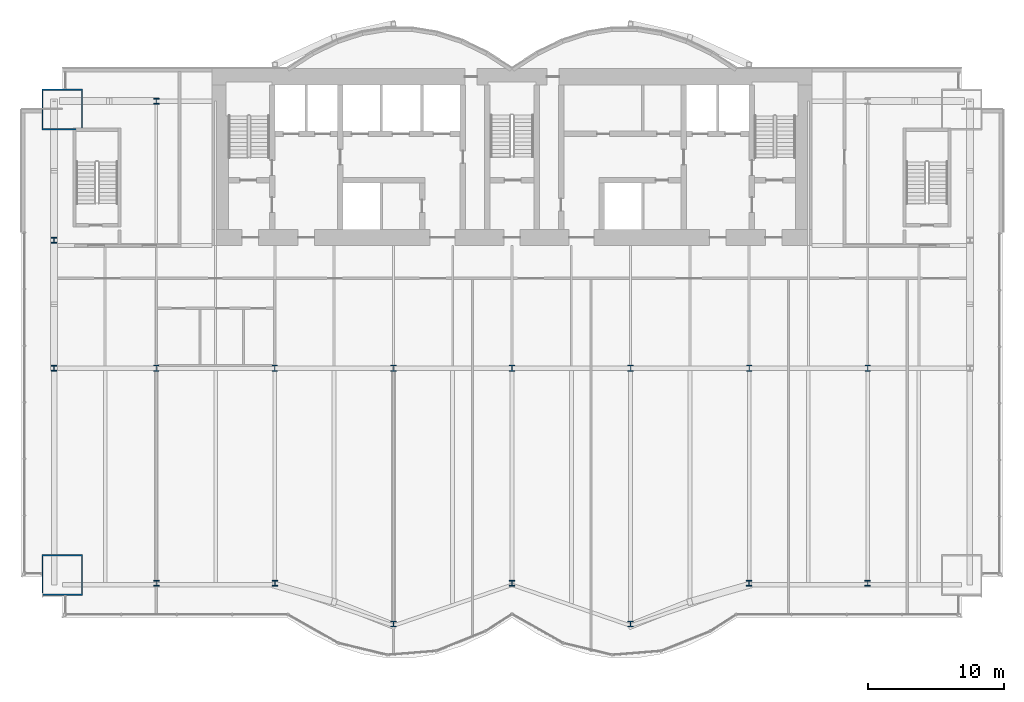
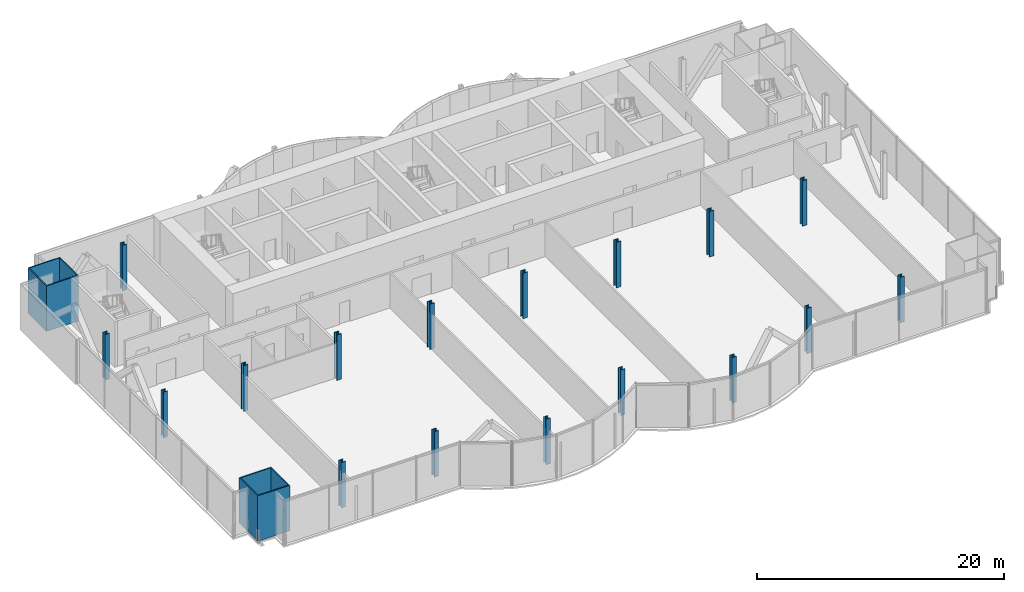
# One storey, part 1 of 21: 19 columns.
"""IFC4 building model written with IfcOpenShell, lengths in metres."""

from ifc_helpers import new_model, si_unit, direction, frame, origin, origin_2d, place, context, subcontext, project, spatial, hollow_rectangle, i_section, extrude, material, material_profile, profile_set, type_object, element, save


model = new_model("IFC4")

# Units and contexts
model_context = context("Model", 3, precision=1e-05, world=origin(), true_north=direction((0.0, 1.0)))
body_context = subcontext(model_context, "Body", "Model", "MODEL_VIEW")
ifc_project = project(units=[si_unit("LENGTHUNIT", "METRE"), si_unit("AREAUNIT", "SQUARE_METRE"), si_unit("VOLUMEUNIT", "CUBIC_METRE"), si_unit("PLANEANGLEUNIT", "RADIAN"), si_unit("MASSUNIT", "GRAM", prefix="KILO")], contexts=[model_context])

# Site, building, storey
site_placement = place(None, origin())
site = spatial("IfcSite", under=ifc_project, at=site_placement, CompositionType="ELEMENT")
building_placement = place(site_placement, origin())
building = spatial("IfcBuilding", under=site, at=building_placement, Name="Bicima Exchange Tower", CompositionType="ELEMENT")
storey_placement = place(building_placement, frame((0.0, 0.0, 66.5)))
storey = spatial("IfcBuildingStorey", under=building, at=storey_placement, Name="L13", CompositionType="ELEMENT", Elevation=66.5)

# Columns
ifc_material_1 = material(Name="Steel ASTM A992 Gr 50", Category="steel")
ifc_material_profile_1 = material_profile(ifc_material_1, i_section(OverallWidth=0.419189453125, OverallDepth=0.45458984375, WebThickness=0.042236328125, FlangeThickness=0.067626953125, at=origin_2d()))
ifc_profile_set_1 = profile_set([ifc_material_profile_1], Name="Steel ASTM A992 Gr 50")
column_type_1 = type_object("IfcColumnType", Name="Interior column W14x370", PredefinedType="COLUMN", material=ifc_profile_set_1)
for number, where, z_axis, x_axis, name in (
    (1, (-26.10009765625, -22.0, 0.0), (0.0, 0.0, 1.0), (1.0, 0.0, 0.0), "Interior column interior-26.1i"),
    (2, (-17.39990234375, -22.0, 0.0), (0.0, 0.0, 1.0), (1.0, 0.0, 0.0), "Interior column interior-17.4i"),
    (3, (-8.699951171875, -22.0, 0.0), (0.0, 0.0, 1.0), (1.0, 0.0, 0.0), "Interior column interior-8.7i"),
    (4, (0.0, -22.0, 0.0), (0.0, 0.0, 1.0), (1.0, 0.0, 0.0), "Interior column interior+0.0i"),
    (5, (8.699951171875, -22.0, 0.0), (0.0, 0.0, 1.0), (1.0, 0.0, 0.0), "Interior column interior+8.7i"),
    (6, (17.39990234375, -22.0, 0.0), (0.0, 0.0, 1.0), (1.0, 0.0, 0.0), "Interior column interior+17.4i"),
    (7, (26.10009765625, -22.0, 0.0), (0.0, 0.0, 1.0), (1.0, 0.0, 0.0), "Interior column interior+26.1i"),
):
    element("IfcColumn", number, at=place(storey_placement, frame(where, z_axis=z_axis, x_axis=x_axis)), inside=storey, type_object=column_type_1, Name=name, PredefinedType="COLUMN", context=body_context, shape_type="SweptSolid", body=[
        extrude(i_section(OverallWidth=0.419189453125, OverallDepth=0.45458984375, WebThickness=0.042236328125, FlangeThickness=0.067626953125, at=origin_2d()), origin(), (0.0, 0.0, 1.0), 4.5),
    ])
ifc_material_2 = material(Name="Steel ASTM A572 Gr 50", Category="steel")
ifc_material_profile_2 = material_profile(ifc_material_2, hollow_rectangle(XDim=3.0, YDim=3.0, WallThickness=0.10009765625, at=origin_2d()))
ifc_profile_set_2 = profile_set([ifc_material_profile_2], Name="Steel ASTM A572 Gr 50")
column_type_2 = type_object("IfcColumnType", Name="Mega column BOX 3000x3000x100", PredefinedType="COLUMN", material=ifc_profile_set_2)
for number, where, z_axis, x_axis, name in (
    (8, (-33.0, -37.169921875, 0.0), (0.0, 0.0, 1.0), (1.0, 0.0, 0.0), "Mega column mega-33.0f"),
    (9, (-33.0, -3.0, 0.0), (0.0, 0.0, 1.0), (1.0, 0.0, 0.0), "Mega column mega-33.0r"),
):
    element("IfcColumn", number, at=place(storey_placement, frame(where, z_axis=z_axis, x_axis=x_axis)), inside=storey, type_object=column_type_2, Name=name, PredefinedType="COLUMN", context=body_context, shape_type="SweptSolid", body=[
        extrude(hollow_rectangle(XDim=3.0, YDim=3.0, WallThickness=0.10009765625, at=origin_2d()), origin(), (0.0, 0.0, 1.0), 4.5),
    ])
ifc_material_profile_3 = material_profile(ifc_material_1, i_section(OverallWidth=0.406494140625, OverallDepth=0.41650390625, WebThickness=0.030029296875, FlangeThickness=0.048095703125, at=origin_2d()))
ifc_profile_set_3 = profile_set([ifc_material_profile_3], Name="Steel ASTM A992 Gr 50")
column_type_3 = type_object("IfcColumnType", Name="Perimeter column W14x257", PredefinedType="COLUMN", material=ifc_profile_set_3)
for number, where, z_axis, x_axis, name in (
    (10, (-26.10009765625, -37.77001953125, 0.0), (0.0, 0.0, 1.0), (1.0, 0.0, 0.0), "Perimeter column grav-26.1f"),
    (11, (-26.10009765625, -2.39990234375, 0.0), (0.0, 0.0, 1.0), (1.0, 0.0, 0.0), "Perimeter column grav-26.1r"),
    (12, (-17.39990234375, -37.77001953125, 0.0), (0.0, 0.0, 1.0), (1.0, 0.0, 0.0), "Perimeter column grav-17.4f"),
    (13, (-8.699951171875, -40.760986328125, 0.0), (0.0, 0.0, 1.0), (1.0, 0.0, 0.0), "Perimeter column grav-8.7f"),
    (14, (0.0, -37.77001953125, 0.0), (0.0, 0.0, 1.0), (1.0, 0.0, 0.0), "Perimeter column grav-0.0f"),
    (15, (8.699951171875, -40.760986328125, 0.0), (0.0, 0.0, 1.0), (1.0, 0.0, 0.0), "Perimeter column grav+8.7f"),
    (16, (17.39990234375, -37.77001953125, 0.0), (0.0, 0.0, 1.0), (1.0, 0.0, 0.0), "Perimeter column grav+17.4f"),
    (17, (26.10009765625, -37.77001953125, 0.0), (0.0, 0.0, 1.0), (1.0, 0.0, 0.0), "Perimeter column grav+26.1f"),
    (18, (-33.60009765625, -12.60009765625, 0.0), (0.0, 0.0, 1.0), (1.0, 0.0, 0.0), "End column end-33.6e"),
    (19, (-33.60009765625, -22.0, 0.0), (0.0, 0.0, 1.0), (1.0, 0.0, 0.0), "End column end-33.6e"),
):
    element("IfcColumn", number, at=place(storey_placement, frame(where, z_axis=z_axis, x_axis=x_axis)), inside=storey, type_object=column_type_3, Name=name, PredefinedType="COLUMN", context=body_context, shape_type="SweptSolid", body=[
        extrude(i_section(OverallWidth=0.406494140625, OverallDepth=0.41650390625, WebThickness=0.030029296875, FlangeThickness=0.048095703125, at=origin_2d()), origin(), (0.0, 0.0, 1.0), 4.5),
    ])

save(model, "model.ifc")
